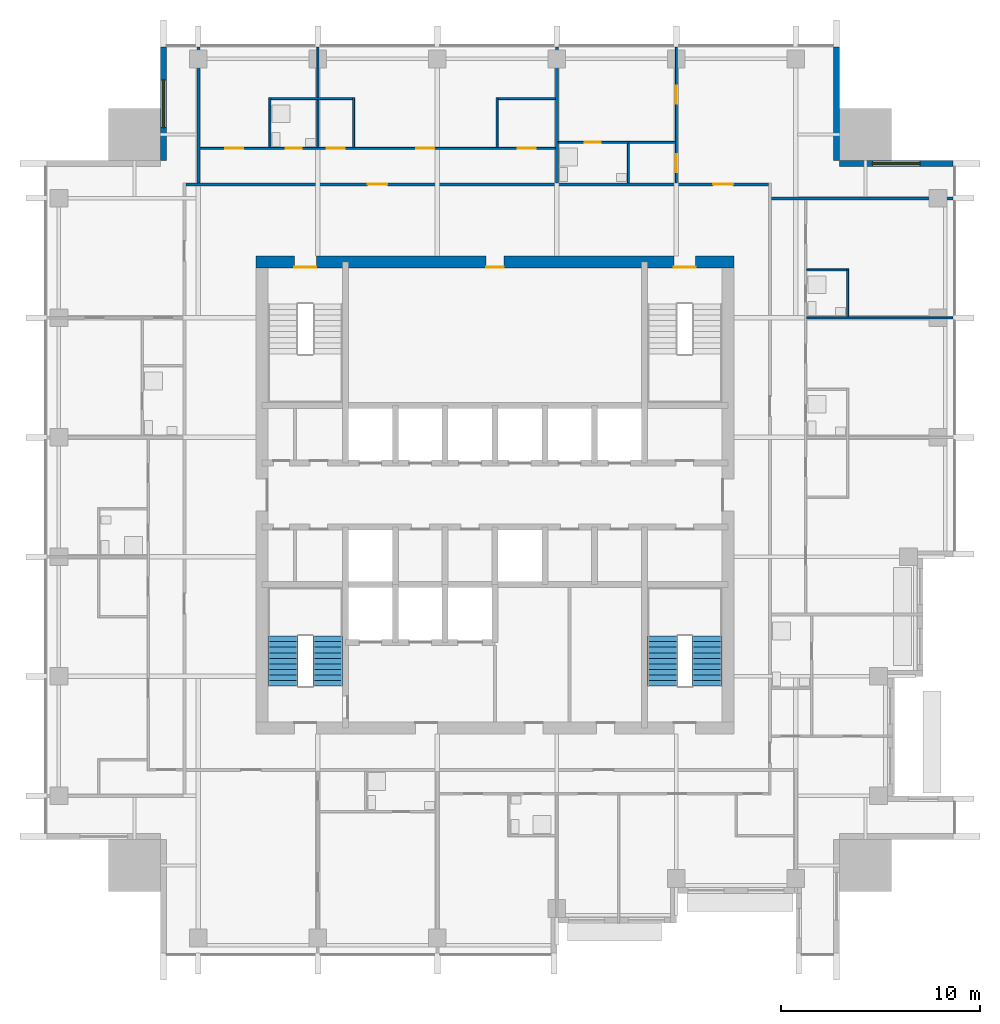
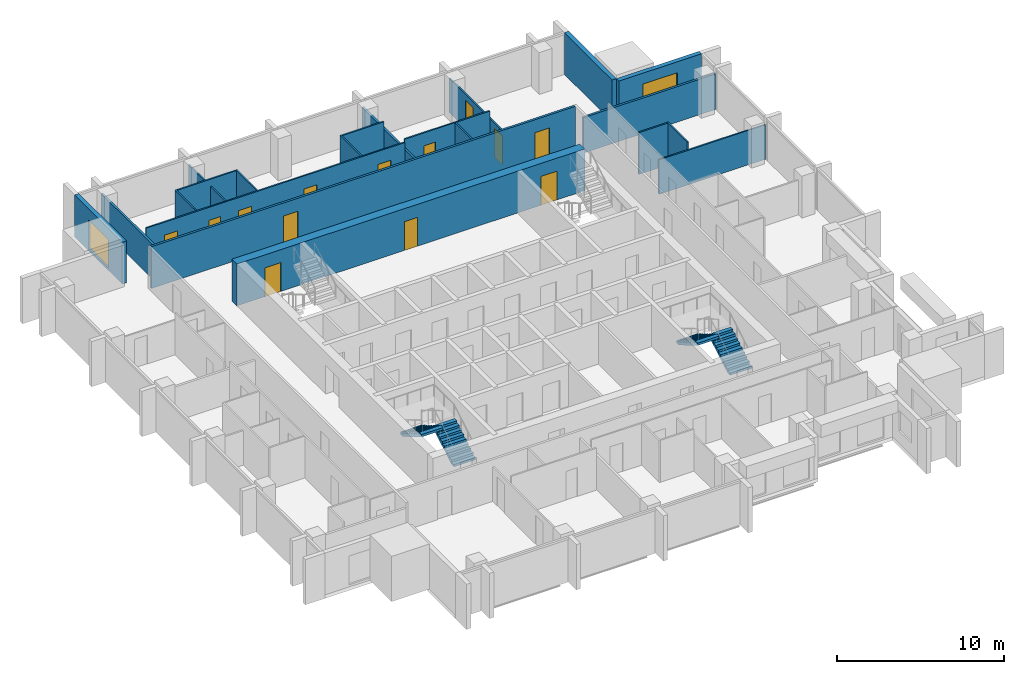
# One storey, part 7 of 10: 21 walls, 13 doors, 4 stair flights, 2 windows, 15 openings, 2 elements without a shape of their own.
"""IFC4 building model written with IfcOpenShell, lengths in metres."""

from ifc_helpers import new_model, si_unit, direction, frame, frame_2d, origin, place, context, subcontext, project, spatial, polyline, rectangle, outline, extrude, material, layer, layer_set, type_object, element, fill, aggregate, save


model = new_model("IFC4")

# Units and contexts
model_context = context("Model", 3, precision=1e-05, world=origin(), true_north=direction((0.0, 1.0)))
body_context = subcontext(model_context, "Body", "Model", "MODEL_VIEW")
ifc_project = project(units=[si_unit("LENGTHUNIT", "METRE"), si_unit("AREAUNIT", "SQUARE_METRE"), si_unit("VOLUMEUNIT", "CUBIC_METRE"), si_unit("PLANEANGLEUNIT", "RADIAN"), si_unit("MASSUNIT", "GRAM", prefix="KILO")], contexts=[model_context])

# Site, building, storey
site_placement = place(None, origin())
site = spatial("IfcSite", under=ifc_project, at=site_placement, CompositionType="ELEMENT")
building_placement = place(site_placement, origin())
building = spatial("IfcBuilding", under=site, at=building_placement, Name="Amberfall Residences", CompositionType="ELEMENT")
storey_placement = place(building_placement, frame((0.0, 0.0, 193.60009765625)))
storey = spatial("IfcBuildingStorey", under=building, at=storey_placement, Name="L51", CompositionType="ELEMENT", Elevation=193.60009765625)

# Wall, opening, window
ifc_material_1 = material(Name="Pale stone cladding on insulated backing", Category="masonry")
ifc_layer_1 = layer(ifc_material_1, 0.300048828125)
ifc_layer_set_1 = layer_set([ifc_layer_1], Name="Bronze clad wall 300")
wall_type_1 = type_object("IfcWallType", Name="Bronze clad wall 300", PredefinedType="SOLIDWALL", material=ifc_layer_set_1)
wall_1_placement = place(storey_placement, frame((97.5, 62.14990234375, 0.0), z_axis=(0.0, 0.0, 1.0), x_axis=(-1.0, 0.0, 0.0)))
wall_1 = element("IfcWall", 1, at=wall_1_placement, inside=storey, type_object=wall_type_1, Name="External wall L51 NE", PredefinedType="SOLIDWALL", context=body_context, shape_type="SweptSolid", body=[
    extrude(rectangle(XDim=5.699951171875, YDim=0.300048828125, at=frame_2d((2.85009765625, 0.0))), origin(), (0.0, 0.0, 1.0), 3.0498046875),
])
opening_1_placement = place(wall_1_placement, frame((1.64990234375, 0.0, 0.14990234375)))
opening_1 = element("IfcOpeningElement", 2, at=opening_1_placement, cuts=wall_1, Name="Opening WN5", PredefinedType="OPENING", context=body_context, shape_type="SweptSolid", body=[
    extrude(rectangle(XDim=2.39990234375, YDim=2.10009765625, at=frame_2d((1.199951171875, 1.050048828125))), frame((0.0, 0.159912109375, 0.0), z_axis=(0.0, -1.0, 0.0), x_axis=(1.0, 0.0, 0.0)), (0.0, 0.0, 1.0), 0.320068359375),
])
ifc_material_2 = material(Name="Bronze aluminium framed glazing", Category="aluminium")
window_type = type_object("IfcWindowType", Name="Glazed opening 2400 x 2100 bronze", PartitioningType="DOUBLE_PANEL_VERTICAL", PredefinedType="WINDOW", material=ifc_material_2)
window_1_placement = place(opening_1_placement, origin())
window_1 = element("IfcWindow", 3, at=window_1_placement, inside=storey, type_object=window_type, Name="Window L51 NE", OverallHeight=2.10009765625, OverallWidth=2.39990234375, PartitioningType="DOUBLE_PANEL_VERTICAL", PredefinedType="WINDOW", context=body_context, shape_type="SweptSolid", body=[
    extrude(rectangle(XDim=2.39990234375, YDim=2.10009765625, at=frame_2d((1.199951171875, 1.050048828125))), frame((0.0, 0.030029296875, 0.0), z_axis=(0.0, -1.0, 0.0), x_axis=(1.0, 0.0, 0.0)), (0.0, 0.0, 1.0), 0.06005859375),
])
fill(opening_1, window_1)

# Wall
wall_2_placement = place(storey_placement, frame((91.64990234375, 62.300048828125, 0.0), z_axis=(0.0, 0.0, 1.0), x_axis=(0.0, 1.0, 0.0)))
element("IfcWall", 4, at=wall_2_placement, inside=storey, type_object=wall_type_1, Name="External wall L51 NE", PredefinedType="SOLIDWALL", context=body_context, shape_type="SweptSolid", body=[
    extrude(rectangle(XDim=5.699951171875, YDim=0.300048828125, at=frame_2d((2.85009765625, 0.0))), origin(), (0.0, 0.0, 1.0), 3.0498046875),
])

# Wall, opening, window
wall_3_placement = place(storey_placement, frame((57.85009765625, 68.0, 0.0), z_axis=(0.0, 0.0, 1.0), x_axis=(0.0, -1.0, 0.0)))
wall_3 = element("IfcWall", 5, at=wall_3_placement, inside=storey, type_object=wall_type_1, Name="External wall L51 NW", PredefinedType="SOLIDWALL", context=body_context, shape_type="SweptSolid", body=[
    extrude(rectangle(XDim=5.699951171875, YDim=0.300048828125, at=frame_2d((2.85009765625, 0.0))), origin(), (0.0, 0.0, 1.0), 3.0498046875),
])
opening_2_placement = place(wall_3_placement, frame((1.64990234375, 0.0, 0.14990234375)))
opening_2 = element("IfcOpeningElement", 6, at=opening_2_placement, cuts=wall_3, Name="Opening WN5", PredefinedType="OPENING", context=body_context, shape_type="SweptSolid", body=[
    extrude(rectangle(XDim=2.39990234375, YDim=2.10009765625, at=frame_2d((1.199951171875, 1.050048828125))), frame((0.0, 0.159912109375, 0.0), z_axis=(0.0, -1.0, 0.0), x_axis=(1.0, 0.0, 0.0)), (0.0, 0.0, 1.0), 0.320068359375),
])
window_2_placement = place(opening_2_placement, origin())
window_2 = element("IfcWindow", 7, at=window_2_placement, inside=storey, type_object=window_type, Name="Window L51 NW", OverallHeight=2.10009765625, OverallWidth=2.39990234375, PartitioningType="DOUBLE_PANEL_VERTICAL", PredefinedType="WINDOW", context=body_context, shape_type="SweptSolid", body=[
    extrude(rectangle(XDim=2.39990234375, YDim=2.10009765625, at=frame_2d((1.199951171875, 1.050048828125))), frame((0.0, 0.030029296875, 0.0), z_axis=(0.0, -1.0, 0.0), x_axis=(1.0, 0.0, 0.0)), (0.0, 0.0, 1.0), 0.06005859375),
])
fill(opening_2, window_2)

# Wall, openings, doors
ifc_material_3 = material(Name="Concrete C55", Category="concrete")
ifc_layer_2 = layer(ifc_material_3, 0.60009765625)
ifc_layer_set_2 = layer_set([ifc_layer_2], Name="Core wall 600 C55")
wall_type_2 = type_object("IfcWallType", Name="Core wall 600 C55", PredefinedType="SHEAR", material=ifc_layer_set_2)
wall_4_placement = place(storey_placement, frame((62.5, 57.199951171875, 0.0), z_axis=(0.0, 0.0, 1.0), x_axis=(1.0, 0.0, 0.0)))
wall_4 = element("IfcWall", 8, at=wall_4_placement, inside=storey, type_object=wall_type_2, Name="Core wall RW7 L51 ON", PredefinedType="SHEAR", context=body_context, shape_type="SweptSolid", body=[
    extrude(rectangle(XDim=24.0, YDim=0.60009765625, at=frame_2d((12.0, 0.0))), origin(), (0.0, 0.0, 1.0), 3.0498046875),
])
opening_3_placement = place(wall_4_placement, frame((20.97509765625, 0.0, 0.0)))
opening_3 = element("IfcOpeningElement", 9, at=opening_3_placement, cuts=wall_4, Name="Opening SD1", PredefinedType="OPENING", context=body_context, shape_type="SweptSolid", body=[
    extrude(rectangle(XDim=1.10009765625, YDim=2.10009765625, at=frame_2d((0.550048828125, 1.050048828125))), frame((0.0, 0.31005859375, 0.0), z_axis=(0.0, -1.0, 0.0), x_axis=(1.0, 0.0, 0.0)), (0.0, 0.0, 1.0), 0.6201171875),
])
opening_4_placement = place(wall_4_placement, frame((1.925048828125, 0.0, 0.0)))
opening_4 = element("IfcOpeningElement", 10, at=opening_4_placement, cuts=wall_4, Name="Opening SD1", PredefinedType="OPENING", context=body_context, shape_type="SweptSolid", body=[
    extrude(rectangle(XDim=1.10009765625, YDim=2.10009765625, at=frame_2d((0.550048828125, 1.050048828125))), frame((0.0, 0.31005859375, 0.0), z_axis=(0.0, -1.0, 0.0), x_axis=(1.0, 0.0, 0.0)), (0.0, 0.0, 1.0), 0.6201171875),
])
opening_5_placement = place(wall_4_placement, frame((11.550048828125, 0.0, 0.0)))
opening_5 = element("IfcOpeningElement", 11, at=opening_5_placement, cuts=wall_4, Name="Opening RD1", PredefinedType="OPENING", context=body_context, shape_type="SweptSolid", body=[
    extrude(rectangle(XDim=0.89990234375, YDim=2.10009765625, at=frame_2d((0.449951171875, 1.050048828125))), frame((0.0, 0.31005859375, 0.0), z_axis=(0.0, -1.0, 0.0), x_axis=(1.0, 0.0, 0.0)), (0.0, 0.0, 1.0), 0.6201171875),
])
ifc_material_4 = material(Name="Steel fire door set", Category="steel")
door_type_1 = type_object("IfcDoorType", Name="Service room door 900 x 2100", OperationType="SINGLE_SWING_LEFT", PredefinedType="DOOR", material=ifc_material_4)
door_1_placement = place(opening_5_placement, origin())
door_1 = element("IfcDoor", 12, at=door_1_placement, inside=storey, type_object=door_type_1, Name="RD1 L51", OperationType="SINGLE_SWING_RIGHT", OverallHeight=2.10009765625, OverallWidth=0.89990234375, PredefinedType="DOOR", context=body_context, shape_type="SweptSolid", body=[
    extrude(rectangle(XDim=0.89990234375, YDim=2.10009765625, at=frame_2d((0.449951171875, 1.050048828125))), frame((0.0, -0.2373046875, 0.0), z_axis=(0.0, -1.0, 0.0), x_axis=(1.0, 0.0, 0.0)), (0.0, 0.0, 1.0), 0.050048828125),
])
fill(opening_5, door_1)
door_type_2 = type_object("IfcDoorType", Name="Stair door 1100 x 2100", OperationType="SINGLE_SWING_LEFT", PredefinedType="DOOR", material=ifc_material_4)
door_2_placement = place(opening_3_placement, origin())
door_2 = element("IfcDoor", 13, at=door_2_placement, inside=storey, type_object=door_type_2, Name="SD1 L51", OperationType="SINGLE_SWING_RIGHT", OverallHeight=2.10009765625, OverallWidth=1.10009765625, PredefinedType="DOOR", context=body_context, shape_type="SweptSolid", body=[
    extrude(rectangle(XDim=1.10009765625, YDim=2.10009765625, at=frame_2d((0.550048828125, 1.050048828125))), frame((0.0, -0.2373046875, 0.0), z_axis=(0.0, -1.0, 0.0), x_axis=(1.0, 0.0, 0.0)), (0.0, 0.0, 1.0), 0.050048828125),
])
fill(opening_3, door_2)
door_3_placement = place(opening_4_placement, origin())
door_3 = element("IfcDoor", 14, at=door_3_placement, inside=storey, type_object=door_type_2, Name="SD1 L51", OperationType="SINGLE_SWING_LEFT", OverallHeight=2.10009765625, OverallWidth=1.10009765625, PredefinedType="DOOR", context=body_context, shape_type="SweptSolid", body=[
    extrude(rectangle(XDim=1.10009765625, YDim=2.10009765625, at=frame_2d((0.550048828125, 1.050048828125))), frame((0.0, -0.2373046875, 0.0), z_axis=(0.0, -1.0, 0.0), x_axis=(1.0, 0.0, 0.0)), (0.0, 0.0, 1.0), 0.050048828125),
])
fill(opening_4, door_3)

# Walls
ifc_material_5 = material(Name="Gypsum board on metal stud")
ifc_layer_3 = layer(ifc_material_5, 0.10009765625)
ifc_layer_set_3 = layer_set([ifc_layer_3], Name="Flat partition 100")
wall_type_3 = type_object("IfcWallType", Name="Flat partition 100", PredefinedType="PARTITIONING", material=ifc_layer_set_3)
wall_5_placement = place(storey_placement, frame((63.199951171875, 62.949951171875, 0.0), z_axis=(0.0, 0.0, 1.0), x_axis=(0.0, 1.0, 0.0)))
element("IfcWall", 15, at=wall_5_placement, inside=storey, type_object=wall_type_3, Name="Partition 005", PredefinedType="PARTITIONING", context=body_context, shape_type="SweptSolid", body=[
    extrude(rectangle(XDim=2.5, YDim=0.10009765625, at=frame_2d((1.25, 0.0))), origin(), (0.0, 0.0, 1.0), 3.0498046875),
])
wall_6_placement = place(storey_placement, frame((65.60009765625, 62.949951171875, 0.0), z_axis=(0.0, 0.0, 1.0), x_axis=(0.0, 1.0, 0.0)))
element("IfcWall", 16, at=wall_6_placement, inside=storey, type_object=wall_type_3, Name="Partition 007", PredefinedType="PARTITIONING", context=body_context, shape_type="SweptSolid", body=[
    extrude(rectangle(XDim=5.050048828125, YDim=0.10009765625, at=frame_2d((2.52490234375, 0.0))), origin(), (0.0, 0.0, 1.0), 2.515869140625),
])
for number, where, z_axis, x_axis, name in (
    (17, (67.39990234375, 62.949951171875, 0.0), (0.0, 0.0, 1.0), (0.0, 1.0, 0.0), "Partition 008"),
    (18, (74.60009765625, 62.949951171875, 0.0), (0.0, 0.0, 1.0), (0.0, 1.0, 0.0), "Partition 010"),
):
    element("IfcWall", number, at=place(storey_placement, frame(where, z_axis=z_axis, x_axis=x_axis)), inside=storey, type_object=wall_type_3, Name=name, PredefinedType="PARTITIONING", context=body_context, shape_type="SweptSolid", body=[
        extrude(rectangle(XDim=2.5, YDim=0.10009765625, at=frame_2d((1.25, 0.0))), origin(), (0.0, 0.0, 1.0), 3.0498046875),
    ])
wall_7_placement = place(storey_placement, frame((81.199951171875, 61.175048828125, 0.0), z_axis=(0.0, 0.0, 1.0), x_axis=(0.0, 1.0, 0.0)))
element("IfcWall", 19, at=wall_7_placement, inside=storey, type_object=wall_type_3, Name="Partition 014", PredefinedType="PARTITIONING", context=body_context, shape_type="SweptSolid", body=[
    extrude(rectangle(XDim=1.974853515625, YDim=0.10009765625, at=frame_2d((0.9873046875, 0.0))), origin(), (0.0, 0.0, 1.0), 3.0498046875),
])

# Wall, openings, doors
wall_8_placement = place(storey_placement, frame((83.60009765625, 61.175048828125, 0.0), z_axis=(0.0, 0.0, 1.0), x_axis=(0.0, 1.0, 0.0)))
wall_8 = element("IfcWall", 20, at=wall_8_placement, inside=storey, type_object=wall_type_3, Name="Partition 015", PredefinedType="PARTITIONING", context=body_context, shape_type="SweptSolid", body=[
    extrude(rectangle(XDim=6.824951171875, YDim=0.10009765625, at=frame_2d((3.41259765625, 0.0))), origin(), (0.0, 0.0, 1.0), 2.515869140625),
])
opening_6_placement = place(wall_8_placement, frame((0.52490234375, 0.0, 0.0)))
opening_6 = element("IfcOpeningElement", 21, at=opening_6_placement, cuts=wall_8, Name="Opening D41", PredefinedType="OPENING", context=body_context, shape_type="SweptSolid", body=[
    extrude(rectangle(XDim=0.89990234375, YDim=2.10009765625, at=frame_2d((0.449951171875, 1.050048828125))), frame((0.0, 0.06005859375, 0.0), z_axis=(0.0, -1.0, 0.0), x_axis=(1.0, 0.0, 0.0)), (0.0, 0.0, 1.0), 0.1201171875),
])
opening_7_placement = place(wall_8_placement, frame((3.97509765625, 0.0, 0.0)))
opening_7 = element("IfcOpeningElement", 22, at=opening_7_placement, cuts=wall_8, Name="Opening D41", PredefinedType="OPENING", context=body_context, shape_type="SweptSolid", body=[
    extrude(rectangle(XDim=0.89990234375, YDim=2.10009765625, at=frame_2d((0.449951171875, 1.050048828125))), frame((0.0, 0.06005859375, 0.0), z_axis=(0.0, -1.0, 0.0), x_axis=(1.0, 0.0, 0.0)), (0.0, 0.0, 1.0), 0.1201171875),
])
ifc_material_6 = material(Name="Timber", Category="wood")
door_type_3 = type_object("IfcDoorType", Name="Internal door 900 x 2100", OperationType="SINGLE_SWING_LEFT", PredefinedType="DOOR", material=ifc_material_6)
door_4_placement = place(opening_6_placement, origin())
door_4 = element("IfcDoor", 23, at=door_4_placement, inside=storey, type_object=door_type_3, Name="Door 5106 kitchen", OperationType="SINGLE_SWING_LEFT", OverallHeight=2.10009765625, OverallWidth=0.89990234375, PredefinedType="DOOR", context=body_context, shape_type="SweptSolid", body=[
    extrude(rectangle(XDim=0.89990234375, YDim=2.10009765625, at=frame_2d((0.449951171875, 1.050048828125))), frame((0.0, 0.02490234375, 0.0), z_axis=(0.0, -1.0, 0.0), x_axis=(1.0, 0.0, 0.0)), (0.0, 0.0, 1.0), 0.050048828125),
])
fill(opening_6, door_4)
door_5_placement = place(opening_7_placement, origin())
door_5 = element("IfcDoor", 24, at=door_5_placement, inside=storey, type_object=door_type_3, Name="Door 5106 bedroom1", OperationType="SINGLE_SWING_LEFT", OverallHeight=2.10009765625, OverallWidth=0.89990234375, PredefinedType="DOOR", context=body_context, shape_type="SweptSolid", body=[
    extrude(rectangle(XDim=0.89990234375, YDim=2.10009765625, at=frame_2d((0.449951171875, 1.050048828125))), frame((0.0, 0.02490234375, 0.0), z_axis=(0.0, -1.0, 0.0), x_axis=(1.0, 0.0, 0.0)), (0.0, 0.0, 1.0), 0.050048828125),
])
fill(opening_7, door_5)

# Walls
wall_9_placement = place(storey_placement, frame((92.199951171875, 54.449951171875, 0.0), z_axis=(0.0, 0.0, 1.0), x_axis=(0.0, 1.0, 0.0)))
element("IfcWall", 25, at=wall_9_placement, inside=storey, type_object=wall_type_3, Name="Partition 021", PredefinedType="PARTITIONING", context=body_context, shape_type="SweptSolid", body=[
    extrude(rectangle(XDim=2.400146484375, YDim=0.10009765625, at=frame_2d((1.2001953125, 0.0))), origin(), (0.0, 0.0, 1.0), 3.0498046875),
])
wall_10_placement = place(storey_placement, frame((63.25, 65.39990234375, 0.0), z_axis=(0.0, 0.0, 1.0), x_axis=(1.0, 0.0, 0.0)))
element("IfcWall", 26, at=wall_10_placement, inside=storey, type_object=wall_type_3, Name="Partition 022", PredefinedType="PARTITIONING", context=body_context, shape_type="SweptSolid", body=[
    extrude(rectangle(XDim=4.10009765625, YDim=0.10009765625, at=frame_2d((2.050048828125, 0.0))), origin(), (0.0, 0.0, 1.0), 3.0498046875),
])
wall_11_placement = place(storey_placement, frame((74.64990234375, 65.39990234375, 0.0), z_axis=(0.0, 0.0, 1.0), x_axis=(1.0, 0.0, 0.0)))
element("IfcWall", 27, at=wall_11_placement, inside=storey, type_object=wall_type_3, Name="Partition 023", PredefinedType="PARTITIONING", context=body_context, shape_type="SweptSolid", body=[
    extrude(rectangle(XDim=2.875, YDim=0.10009765625, at=frame_2d((1.4375, 0.0))), origin(), (0.0, 0.0, 1.0), 3.0498046875),
])

# Wall, opening, door
wall_12_placement = place(storey_placement, frame((83.550048828125, 63.199951171875, 0.0), z_axis=(0.0, 0.0, 1.0), x_axis=(-1.0, 0.0, 0.0)))
wall_12 = element("IfcWall", 28, at=wall_12_placement, inside=storey, type_object=wall_type_3, Name="Partition 024", PredefinedType="PARTITIONING", context=body_context, shape_type="SweptSolid", body=[
    extrude(rectangle(XDim=5.875, YDim=0.10009765625, at=frame_2d((2.9375, 0.0))), origin(), (0.0, 0.0, 1.0), 3.0498046875),
])
opening_8_placement = place(wall_12_placement, frame((3.75, 0.0, 0.0)))
opening_8 = element("IfcOpeningElement", 29, at=opening_8_placement, cuts=wall_12, Name="Opening D42", PredefinedType="OPENING", context=body_context, shape_type="SweptSolid", body=[
    extrude(rectangle(XDim=0.800048828125, YDim=2.10009765625, at=frame_2d((0.39990234375, 1.050048828125))), frame((0.0, 0.06005859375, 0.0), z_axis=(0.0, -1.0, 0.0), x_axis=(1.0, 0.0, 0.0)), (0.0, 0.0, 1.0), 0.1201171875),
])
door_type_4 = type_object("IfcDoorType", Name="Bathroom door 800 x 2100", OperationType="SINGLE_SWING_LEFT", PredefinedType="DOOR", material=ifc_material_6)
door_6_placement = place(opening_8_placement, origin())
door_6 = element("IfcDoor", 30, at=door_6_placement, inside=storey, type_object=door_type_4, Name="Door 5106 bath1", OperationType="SINGLE_SWING_LEFT", OverallHeight=2.10009765625, OverallWidth=0.800048828125, PredefinedType="DOOR", context=body_context, shape_type="SweptSolid", body=[
    extrude(rectangle(XDim=0.800048828125, YDim=2.10009765625, at=frame_2d((0.39990234375, 1.050048828125))), frame((0.0, 0.02490234375, 0.0), z_axis=(0.0, -1.0, 0.0), x_axis=(1.0, 0.0, 0.0)), (0.0, 0.0, 1.0), 0.050048828125),
])
fill(opening_8, door_6)

# Wall, openings, doors
wall_13_placement = place(storey_placement, frame((59.675048828125, 62.89990234375, 0.0), z_axis=(0.0, 0.0, 1.0), x_axis=(1.0, 0.0, 0.0)))
wall_13 = element("IfcWall", 31, at=wall_13_placement, inside=storey, type_object=wall_type_3, Name="Partition 025", PredefinedType="PARTITIONING", context=body_context, shape_type="SweptSolid", body=[
    extrude(rectangle(XDim=17.849853515625, YDim=0.10009765625, at=frame_2d((8.9248046875, 0.0))), origin(), (0.0, 0.0, 1.0), 3.0498046875),
])
opening_9_placement = place(wall_13_placement, frame((10.875, 0.0, 0.0)))
opening_9 = element("IfcOpeningElement", 32, at=opening_9_placement, cuts=wall_13, Name="Opening D41", PredefinedType="OPENING", context=body_context, shape_type="SweptSolid", body=[
    extrude(rectangle(XDim=0.89990234375, YDim=2.10009765625, at=frame_2d((0.449951171875, 1.050048828125))), frame((0.0, 0.06005859375, 0.0), z_axis=(0.0, -1.0, 0.0), x_axis=(1.0, 0.0, 0.0)), (0.0, 0.0, 1.0), 0.1201171875),
])
opening_10_placement = place(wall_13_placement, frame((15.97509765625, 0.0, 0.0)))
opening_10 = element("IfcOpeningElement", 33, at=opening_10_placement, cuts=wall_13, Name="Opening D41", PredefinedType="OPENING", context=body_context, shape_type="SweptSolid", body=[
    extrude(rectangle(XDim=0.89990234375, YDim=2.10009765625, at=frame_2d((0.449951171875, 1.050048828125))), frame((0.0, 0.06005859375, 0.0), z_axis=(0.0, -1.0, 0.0), x_axis=(1.0, 0.0, 0.0)), (0.0, 0.0, 1.0), 0.1201171875),
])
opening_11_placement = place(wall_13_placement, frame((6.375, 0.0, 0.0)))
opening_11 = element("IfcOpeningElement", 34, at=opening_11_placement, cuts=wall_13, Name="Opening D41", PredefinedType="OPENING", context=body_context, shape_type="SweptSolid", body=[
    extrude(rectangle(XDim=0.89990234375, YDim=2.10009765625, at=frame_2d((0.449951171875, 1.050048828125))), frame((0.0, 0.06005859375, 0.0), z_axis=(0.0, -1.0, 0.0), x_axis=(1.0, 0.0, 0.0)), (0.0, 0.0, 1.0), 0.1201171875),
])
opening_12_placement = place(wall_13_placement, frame((1.27490234375, 0.0, 0.0)))
opening_12 = element("IfcOpeningElement", 35, at=opening_12_placement, cuts=wall_13, Name="Opening D41", PredefinedType="OPENING", context=body_context, shape_type="SweptSolid", body=[
    extrude(rectangle(XDim=0.89990234375, YDim=2.10009765625, at=frame_2d((0.449951171875, 1.050048828125))), frame((0.0, 0.06005859375, 0.0), z_axis=(0.0, -1.0, 0.0), x_axis=(1.0, 0.0, 0.0)), (0.0, 0.0, 1.0), 0.1201171875),
])
opening_13_placement = place(wall_13_placement, frame((4.324951171875, 0.0, 0.0)))
opening_13 = element("IfcOpeningElement", 36, at=opening_13_placement, cuts=wall_13, Name="Opening D42", PredefinedType="OPENING", context=body_context, shape_type="SweptSolid", body=[
    extrude(rectangle(XDim=0.800048828125, YDim=2.10009765625, at=frame_2d((0.39990234375, 1.050048828125))), frame((0.0, 0.06005859375, 0.0), z_axis=(0.0, -1.0, 0.0), x_axis=(1.0, 0.0, 0.0)), (0.0, 0.0, 1.0), 0.1201171875),
])
door_7_placement = place(opening_13_placement, origin())
door_7 = element("IfcDoor", 37, at=door_7_placement, inside=storey, type_object=door_type_4, Name="Door 5105 bath1", OperationType="SINGLE_SWING_LEFT", OverallHeight=2.10009765625, OverallWidth=0.800048828125, PredefinedType="DOOR", context=body_context, shape_type="SweptSolid", body=[
    extrude(rectangle(XDim=0.800048828125, YDim=2.10009765625, at=frame_2d((0.39990234375, 1.050048828125))), frame((0.0, 0.02490234375, 0.0), z_axis=(0.0, -1.0, 0.0), x_axis=(1.0, 0.0, 0.0)), (0.0, 0.0, 1.0), 0.050048828125),
])
fill(opening_13, door_7)
door_8_placement = place(opening_9_placement, origin())
door_8 = element("IfcDoor", 38, at=door_8_placement, inside=storey, type_object=door_type_3, Name="Door 5105 living", OperationType="SINGLE_SWING_LEFT", OverallHeight=2.10009765625, OverallWidth=0.89990234375, PredefinedType="DOOR", context=body_context, shape_type="SweptSolid", body=[
    extrude(rectangle(XDim=0.89990234375, YDim=2.10009765625, at=frame_2d((0.449951171875, 1.050048828125))), frame((0.0, 0.02490234375, 0.0), z_axis=(0.0, -1.0, 0.0), x_axis=(1.0, 0.0, 0.0)), (0.0, 0.0, 1.0), 0.050048828125),
])
fill(opening_9, door_8)
door_9_placement = place(opening_10_placement, origin())
door_9 = element("IfcDoor", 39, at=door_9_placement, inside=storey, type_object=door_type_3, Name="Door 5105 kitchen", OperationType="SINGLE_SWING_LEFT", OverallHeight=2.10009765625, OverallWidth=0.89990234375, PredefinedType="DOOR", context=body_context, shape_type="SweptSolid", body=[
    extrude(rectangle(XDim=0.89990234375, YDim=2.10009765625, at=frame_2d((0.449951171875, 1.050048828125))), frame((0.0, 0.02490234375, 0.0), z_axis=(0.0, -1.0, 0.0), x_axis=(1.0, 0.0, 0.0)), (0.0, 0.0, 1.0), 0.050048828125),
])
fill(opening_10, door_9)
door_10_placement = place(opening_11_placement, origin())
door_10 = element("IfcDoor", 40, at=door_10_placement, inside=storey, type_object=door_type_3, Name="Door 5105 store", OperationType="SINGLE_SWING_LEFT", OverallHeight=2.10009765625, OverallWidth=0.89990234375, PredefinedType="DOOR", context=body_context, shape_type="SweptSolid", body=[
    extrude(rectangle(XDim=0.89990234375, YDim=2.10009765625, at=frame_2d((0.449951171875, 1.050048828125))), frame((0.0, 0.02490234375, 0.0), z_axis=(0.0, -1.0, 0.0), x_axis=(1.0, 0.0, 0.0)), (0.0, 0.0, 1.0), 0.050048828125),
])
fill(opening_11, door_10)
door_11_placement = place(opening_12_placement, origin())
door_11 = element("IfcDoor", 41, at=door_11_placement, inside=storey, type_object=door_type_3, Name="Door 5105 bedroom1", OperationType="SINGLE_SWING_LEFT", OverallHeight=2.10009765625, OverallWidth=0.89990234375, PredefinedType="DOOR", context=body_context, shape_type="SweptSolid", body=[
    extrude(rectangle(XDim=0.89990234375, YDim=2.10009765625, at=frame_2d((0.449951171875, 1.050048828125))), frame((0.0, 0.02490234375, 0.0), z_axis=(0.0, -1.0, 0.0), x_axis=(1.0, 0.0, 0.0)), (0.0, 0.0, 1.0), 0.050048828125),
])
fill(opening_12, door_11)

# Walls
wall_14_placement = place(storey_placement, frame((90.14990234375, 56.800048828125, 0.0), z_axis=(0.0, 0.0, 1.0), x_axis=(1.0, 0.0, 0.0)))
element("IfcWall", 42, at=wall_14_placement, inside=storey, type_object=wall_type_3, Name="Partition 026", PredefinedType="PARTITIONING", context=body_context, shape_type="SweptSolid", body=[
    extrude(rectangle(XDim=2.0, YDim=0.10009765625, at=frame_2d((1.0, 0.0))), origin(), (0.0, 0.0, 1.0), 3.0498046875),
])
wall_15_placement = place(storey_placement, frame((90.14990234375, 54.39990234375, 0.0), z_axis=(0.0, 0.0, 1.0), x_axis=(1.0, 0.0, 0.0)))
element("IfcWall", 43, at=wall_15_placement, inside=storey, type_object=wall_type_3, Name="Partition 028", PredefinedType="PARTITIONING", context=body_context, shape_type="SweptSolid", body=[
    extrude(rectangle(XDim=7.35009765625, YDim=0.10009765625, at=frame_2d((3.675048828125, 0.0))), origin(), (0.0, 0.0, 1.0), 2.515869140625),
])
ifc_material_7 = material(Name="Blockwork, plastered", Category="masonry")
ifc_layer_4 = layer(ifc_material_7, 0.14990234375)
ifc_layer_set_4 = layer_set([ifc_layer_4], Name="Flat separating wall 150")
wall_type_4 = type_object("IfcWallType", Name="Flat separating wall 150", PredefinedType="PARTITIONING", material=ifc_layer_set_4)
wall_16_placement = place(storey_placement, frame((59.60009765625, 61.175048828125, 0.0), z_axis=(0.0, 0.0, 1.0), x_axis=(0.0, 1.0, 0.0)))
element("IfcWall", 44, at=wall_16_placement, inside=storey, type_object=wall_type_4, Name="Separating wall 045", PredefinedType="PARTITIONING", context=body_context, shape_type="SweptSolid", body=[
    extrude(rectangle(XDim=6.824951171875, YDim=0.14990234375, at=frame_2d((3.41259765625, 0.0))), origin(), (0.0, 0.0, 1.0), 2.510009765625),
])
wall_17_placement = place(storey_placement, frame((77.60009765625, 61.175048828125, 0.0), z_axis=(0.0, 0.0, 1.0), x_axis=(0.0, 1.0, 0.0)))
element("IfcWall", 45, at=wall_17_placement, inside=storey, type_object=wall_type_4, Name="Separating wall 047", PredefinedType="PARTITIONING", context=body_context, shape_type="SweptSolid", body=[
    extrude(rectangle(XDim=6.824951171875, YDim=0.14990234375, at=frame_2d((3.41259765625, 0.0))), origin(), (0.0, 0.0, 1.0), 2.515869140625),
])

# Wall, openings, doors
wall_18_placement = place(storey_placement, frame((58.97509765625, 61.10009765625, 0.0), z_axis=(0.0, 0.0, 1.0), x_axis=(1.0, 0.0, 0.0)))
wall_18 = element("IfcWall", 46, at=wall_18_placement, inside=storey, type_object=wall_type_4, Name="Separating wall 050", PredefinedType="PARTITIONING", context=body_context, shape_type="SweptSolid", body=[
    extrude(rectangle(XDim=29.25, YDim=0.14990234375, at=frame_2d((14.625, 0.0))), origin(), (0.0, 0.0, 1.0), 3.0498046875),
])
opening_14_placement = place(wall_18_placement, frame((9.125, 0.0, 0.0)))
opening_14 = element("IfcOpeningElement", 47, at=opening_14_placement, cuts=wall_18, Name="Opening D40", PredefinedType="OPENING", context=body_context, shape_type="SweptSolid", body=[
    extrude(rectangle(XDim=1.0, YDim=2.10009765625, at=frame_2d((0.5, 1.050048828125))), frame((0.0, 0.0849609375, 0.0), z_axis=(0.0, -1.0, 0.0), x_axis=(1.0, 0.0, 0.0)), (0.0, 0.0, 1.0), 0.169921875),
])
opening_15_placement = place(wall_18_placement, frame((26.47509765625, 0.0, 0.0)))
opening_15 = element("IfcOpeningElement", 48, at=opening_15_placement, cuts=wall_18, Name="Opening D40", PredefinedType="OPENING", context=body_context, shape_type="SweptSolid", body=[
    extrude(rectangle(XDim=1.0, YDim=2.10009765625, at=frame_2d((0.5, 1.050048828125))), frame((0.0, 0.0849609375, 0.0), z_axis=(0.0, -1.0, 0.0), x_axis=(1.0, 0.0, 0.0)), (0.0, 0.0, 1.0), 0.169921875),
])
ifc_material_8 = material(Name="Timber, fire-rated", Category="wood")
door_type_5 = type_object("IfcDoorType", Name="Flat entrance door FD60 1000 x 2100", OperationType="SINGLE_SWING_LEFT", PredefinedType="DOOR", material=ifc_material_8)
door_12_placement = place(opening_14_placement, origin())
door_12 = element("IfcDoor", 49, at=door_12_placement, inside=storey, type_object=door_type_5, Name="Door 5105 entrance", OperationType="SINGLE_SWING_LEFT", OverallHeight=2.10009765625, OverallWidth=1.0, PredefinedType="DOOR", context=body_context, shape_type="SweptSolid", body=[
    extrude(rectangle(XDim=1.0, YDim=2.10009765625, at=frame_2d((0.5, 1.050048828125))), frame((0.0, 0.02490234375, 0.0), z_axis=(0.0, -1.0, 0.0), x_axis=(1.0, 0.0, 0.0)), (0.0, 0.0, 1.0), 0.050048828125),
])
fill(opening_14, door_12)
door_13_placement = place(opening_15_placement, origin())
door_13 = element("IfcDoor", 50, at=door_13_placement, inside=storey, type_object=door_type_5, Name="Door 5106 entrance", OperationType="SINGLE_SWING_LEFT", OverallHeight=2.10009765625, OverallWidth=1.0, PredefinedType="DOOR", context=body_context, shape_type="SweptSolid", body=[
    extrude(rectangle(XDim=1.0, YDim=2.10009765625, at=frame_2d((0.5, 1.050048828125))), frame((0.0, 0.02490234375, 0.0), z_axis=(0.0, -1.0, 0.0), x_axis=(1.0, 0.0, 0.0)), (0.0, 0.0, 1.0), 0.050048828125),
])
fill(opening_15, door_13)

# Wall
wall_19_placement = place(storey_placement, frame((88.375, 60.39990234375, 0.0), z_axis=(0.0, 0.0, 1.0), x_axis=(1.0, 0.0, 0.0)))
element("IfcWall", 51, at=wall_19_placement, inside=storey, type_object=wall_type_4, Name="Separating wall 051", PredefinedType="PARTITIONING", context=body_context, shape_type="SweptSolid", body=[
    extrude(rectangle(XDim=9.125, YDim=0.14990234375, at=frame_2d((4.5625, 0.0))), origin(), (0.0, 0.0, 1.0), 2.58984375),
])

# Stair, stair flights
ifc_material_9 = material(Name="Concrete C40", Category="concrete")
stair_type = type_object("IfcStairType", Name="Exit stair 20 risers 165.0 mm", PredefinedType="HALF_TURN_STAIR", material=ifc_material_9)
stair_1_placement = place(storey_placement, origin())
stair_1 = element("IfcStair", 52, at=stair_1_placement, inside=storey, type_object=stair_type, Name="L51 Exit stair 1", PredefinedType="HALF_TURN_STAIR")
stair_flight_type = type_object("IfcStairFlightType", Name="Stair flight 10 risers 165.0 mm", PredefinedType="STRAIGHT", material=ifc_material_9)
stair_flight_1_placement = place(storey_placement, frame((66.10009765625, 35.89990234375, 0.0), z_axis=(0.0, 0.0, 1.0), x_axis=(0.0, 1.0, 0.0)))
stair_flight_1 = element("IfcStairFlight", 53, at=stair_flight_1_placement, type_object=stair_flight_type, Name="ST3 flight 1", NumberOfRisers=10, NumberOfTreads=9, PredefinedType="STRAIGHT", RiserHeight=0.165, TreadLength=0.28, context=body_context, shape_type="SweptSolid", body=[
    extrude(outline(polyline([(0.0, 0.0), (0.0, 0.1650390625), (0.280029296875, 0.1650390625), (0.280029296875, 0.330078125), (0.56005859375, 0.330078125), (0.56005859375, 0.4951171875), (0.840087890625, 0.4951171875), (0.840087890625, 0.659912109375), (1.1201171875, 0.659912109375), (1.1201171875, 0.824951171875), (1.39990234375, 0.824951171875), (1.39990234375, 0.989990234375), (1.679931640625, 0.989990234375), (1.679931640625, 1.155029296875), (1.9599609375, 1.155029296875), (1.9599609375, 1.320068359375), (2.239990234375, 1.320068359375), (2.239990234375, 1.485107421875), (2.52001953125, 1.485107421875), (2.52001953125, 1.64990234375), (2.52001953125, 1.31103515625), (0.295166015625, 0.0), (0.0, 0.0)])), frame((0.0, 0.75, 0.0), z_axis=(0.0, -1.0, 0.0), x_axis=(1.0, 0.0, 0.0)), (0.0, 0.0, 1.0), 1.5),
])
stair_flight_2_placement = place(storey_placement, frame((63.85009765625, 38.419921875, 1.64990234375), z_axis=(0.0, 0.0, 1.0), x_axis=(0.0, -1.0, 0.0)))
stair_flight_2 = element("IfcStairFlight", 54, at=stair_flight_2_placement, type_object=stair_flight_type, Name="ST3 flight 2", NumberOfRisers=10, NumberOfTreads=9, PredefinedType="STRAIGHT", RiserHeight=0.165, TreadLength=0.28, context=body_context, shape_type="SweptSolid", body=[
    extrude(outline(polyline([(0.0, 0.0), (0.0, 0.1650390625), (0.280029296875, 0.1650390625), (0.280029296875, 0.330078125), (0.56005859375, 0.330078125), (0.56005859375, 0.4951171875), (0.840087890625, 0.4951171875), (0.840087890625, 0.659912109375), (1.1201171875, 0.659912109375), (1.1201171875, 0.824951171875), (1.39990234375, 0.824951171875), (1.39990234375, 0.989990234375), (1.679931640625, 0.989990234375), (1.679931640625, 1.155029296875), (1.9599609375, 1.155029296875), (1.9599609375, 1.320068359375), (2.239990234375, 1.320068359375), (2.239990234375, 1.485107421875), (2.52001953125, 1.485107421875), (2.52001953125, 1.64990234375), (2.52001953125, 1.31103515625), (0.295166015625, 0.0), (0.0, 0.0)])), frame((0.0, 0.75, 0.0), z_axis=(0.0, -1.0, 0.0), x_axis=(1.0, 0.0, 0.0)), (0.0, 0.0, 1.0), 1.5),
])
aggregate(stair_1, [stair_flight_1, stair_flight_2])

stair_2_placement = place(storey_placement, origin())
stair_2 = element("IfcStair", 55, at=stair_2_placement, inside=storey, type_object=stair_type, Name="L51 Exit stair 2", PredefinedType="HALF_TURN_STAIR")
stair_flight_3_placement = place(storey_placement, frame((85.14990234375, 35.89990234375, 0.0), z_axis=(0.0, 0.0, 1.0), x_axis=(0.0, 1.0, 0.0)))
stair_flight_3 = element("IfcStairFlight", 56, at=stair_flight_3_placement, type_object=stair_flight_type, Name="ST3 flight 1", NumberOfRisers=10, NumberOfTreads=9, PredefinedType="STRAIGHT", RiserHeight=0.165, TreadLength=0.28, context=body_context, shape_type="SweptSolid", body=[
    extrude(outline(polyline([(0.0, 0.0), (0.0, 0.1650390625), (0.280029296875, 0.1650390625), (0.280029296875, 0.330078125), (0.56005859375, 0.330078125), (0.56005859375, 0.4951171875), (0.840087890625, 0.4951171875), (0.840087890625, 0.659912109375), (1.1201171875, 0.659912109375), (1.1201171875, 0.824951171875), (1.39990234375, 0.824951171875), (1.39990234375, 0.989990234375), (1.679931640625, 0.989990234375), (1.679931640625, 1.155029296875), (1.9599609375, 1.155029296875), (1.9599609375, 1.320068359375), (2.239990234375, 1.320068359375), (2.239990234375, 1.485107421875), (2.52001953125, 1.485107421875), (2.52001953125, 1.64990234375), (2.52001953125, 1.31103515625), (0.295166015625, 0.0), (0.0, 0.0)])), frame((0.0, 0.75, 0.0), z_axis=(0.0, -1.0, 0.0), x_axis=(1.0, 0.0, 0.0)), (0.0, 0.0, 1.0), 1.5),
])
stair_flight_4_placement = place(storey_placement, frame((82.89990234375, 38.419921875, 1.64990234375), z_axis=(0.0, 0.0, 1.0), x_axis=(0.0, -1.0, 0.0)))
stair_flight_4 = element("IfcStairFlight", 57, at=stair_flight_4_placement, type_object=stair_flight_type, Name="ST3 flight 2", NumberOfRisers=10, NumberOfTreads=9, PredefinedType="STRAIGHT", RiserHeight=0.165, TreadLength=0.28, context=body_context, shape_type="SweptSolid", body=[
    extrude(outline(polyline([(0.0, 0.0), (0.0, 0.1650390625), (0.280029296875, 0.1650390625), (0.280029296875, 0.330078125), (0.56005859375, 0.330078125), (0.56005859375, 0.4951171875), (0.840087890625, 0.4951171875), (0.840087890625, 0.659912109375), (1.1201171875, 0.659912109375), (1.1201171875, 0.824951171875), (1.39990234375, 0.824951171875), (1.39990234375, 0.989990234375), (1.679931640625, 0.989990234375), (1.679931640625, 1.155029296875), (1.9599609375, 1.155029296875), (1.9599609375, 1.320068359375), (2.239990234375, 1.320068359375), (2.239990234375, 1.485107421875), (2.52001953125, 1.485107421875), (2.52001953125, 1.64990234375), (2.52001953125, 1.31103515625), (0.295166015625, 0.0), (0.0, 0.0)])), frame((0.0, 0.75, 0.0), z_axis=(0.0, -1.0, 0.0), x_axis=(1.0, 0.0, 0.0)), (0.0, 0.0, 1.0), 1.5),
])
aggregate(stair_2, [stair_flight_3, stair_flight_4])

save(model, "model.ifc")
